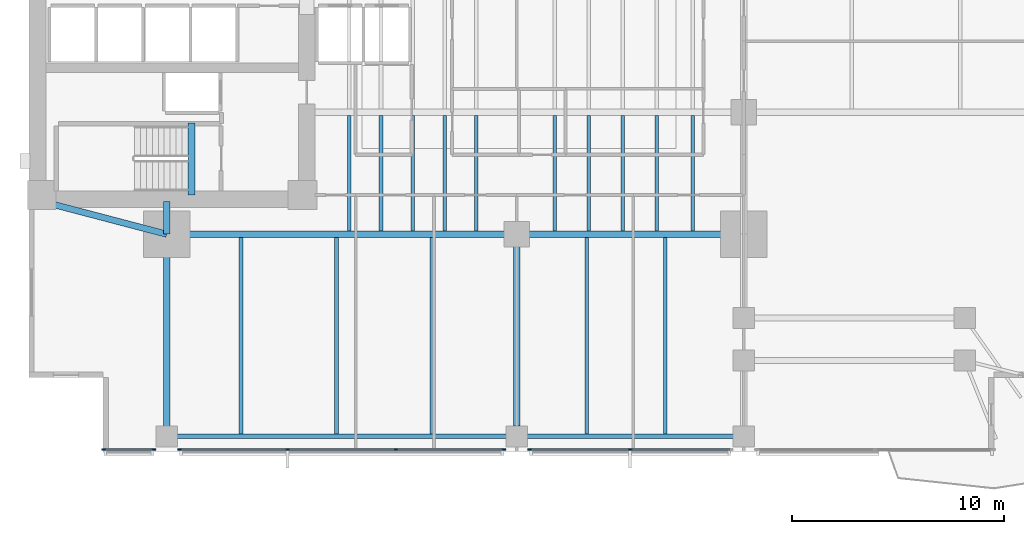
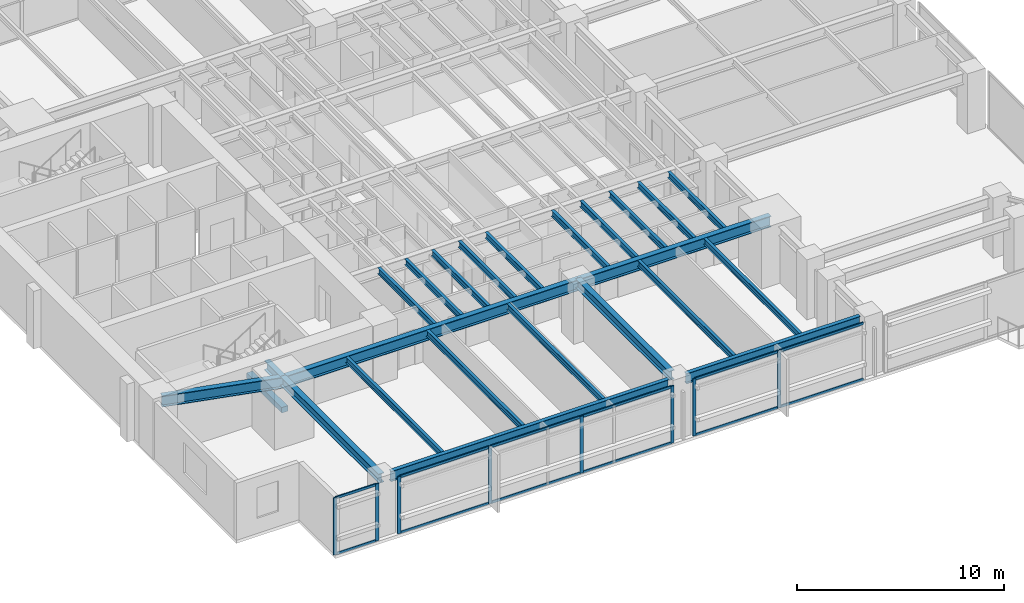
# One storey, part 2 of 15: 24 beams, 20 members, 3 elements without a shape of their own.
"""IFC4 building model written with IfcOpenShell, lengths in metres."""

from ifc_helpers import new_model, si_unit, direction, frame, origin, origin_2d, place, context, subcontext, project, spatial, rectangle, i_section, extrude, material, layer, layer_set, material_profile, profile_set, type_object, element, aggregate, save


model = new_model("IFC4")

# Units and contexts
model_context = context("Model", 3, precision=1e-05, world=origin(), true_north=direction((0.0, 1.0)))
body_context = subcontext(model_context, "Body", "Model", "MODEL_VIEW")
ifc_project = project(units=[si_unit("LENGTHUNIT", "METRE"), si_unit("AREAUNIT", "SQUARE_METRE"), si_unit("VOLUMEUNIT", "CUBIC_METRE"), si_unit("PLANEANGLEUNIT", "RADIAN"), si_unit("MASSUNIT", "GRAM", prefix="KILO")], contexts=[model_context])

# Site, building, storey
site_placement = place(None, origin())
site = spatial("IfcSite", under=ifc_project, at=site_placement, CompositionType="ELEMENT")
building_placement = place(site_placement, origin())
building = spatial("IfcBuilding", under=site, at=building_placement, Name="Kinhvarn Gate Tower", CompositionType="ELEMENT")
storey_placement = place(building_placement, frame((0.0, 0.0, 64.64990234375)))
storey = spatial("IfcBuildingStorey", under=building, at=storey_placement, Name="L16", CompositionType="ELEMENT", Elevation=64.64990234375)

# Beam
ifc_material_1 = material(Name="Concrete C50/60", Category="concrete")
ifc_material_profile_1 = material_profile(ifc_material_1, rectangle(XDim=0.340087890625, YDim=0.320068359375, at=origin_2d()), Name="RC 340x320")
ifc_profile_set_1 = profile_set([ifc_material_profile_1], Name="Concrete C50/60")
beam_type_1 = type_object("IfcBeamType", Name="BM-LND-500", PredefinedType="BEAM", material=ifc_profile_set_1)
beam_1_placement = place(storey_placement, frame((12.1650390625, 14.60009765625, -0.159912109375), z_axis=(0.0, 1.0, 0.0), x_axis=(-1.0, 0.0, 0.0)))
element("IfcBeam", 1, at=beam_1_placement, inside=storey, type_object=beam_type_1, Name="Stair ST1 Landing Nosing Beam (L16)", PredefinedType="BEAM", context=body_context, shape_type="SweptSolid", body=[
    extrude(rectangle(XDim=0.340087890625, YDim=0.320068359375, at=origin_2d()), origin(), (0.0, 0.0, 1.0), 3.39990234375),
])

# Curtain wall, members
ifc_material_2 = material(Name="Anodised aluminium AW-6063", Category="aluminium")
ifc_layer = layer(ifc_material_2, 0.179931640625)
ifc_layer_set = layer_set([ifc_layer], Name="Anodised aluminium AW-6063")
curtain_wall_type = type_object("IfcCurtainWallType", Name="CW-SYS-2", PredefinedType="NOTDEFINED", material=ifc_layer_set)
curtain_wall_1_placement = place(storey_placement, origin())
curtain_wall_1 = element("IfcCurtainWall", 2, at=curtain_wall_1_placement, inside=storey, type_object=curtain_wall_type, Name="Curtain Wall CW2 (L16)", PredefinedType="NOTDEFINED")
ifc_material_profile_2 = material_profile(ifc_material_2, rectangle(XDim=0.070068359375, YDim=0.179931640625, at=origin_2d()), Name="ALU 70x180")
ifc_profile_set_2 = profile_set([ifc_material_profile_2], Name="Anodised aluminium AW-6063")
member_type_1 = type_object("IfcMemberType", Name="CW-MUL-180", PredefinedType="MULLION", material=ifc_profile_set_2)
member_1_placement = place(storey_placement, frame((8.034912109375, 2.590087890625, 0.0), z_axis=(0.0, 0.0, 1.0), x_axis=(0.0, 1.0, 0.0)))
member_1 = element("IfcMember", 3, at=member_1_placement, type_object=member_type_1, Name="CW2 mullion 1", PredefinedType="MULLION", context=body_context, shape_type="SweptSolid", body=[
    extrude(rectangle(XDim=0.070068359375, YDim=0.179931640625, at=origin_2d()), origin(), (0.0, 0.0, 1.0), 3.3701171875),
])
member_2_placement = place(storey_placement, frame((10.385009765625, 2.590087890625, 0.0), z_axis=(0.0, 0.0, 1.0), x_axis=(0.0, 1.0, 0.0)))
member_2 = element("IfcMember", 4, at=member_2_placement, type_object=member_type_1, Name="CW2 mullion 2", PredefinedType="MULLION", context=body_context, shape_type="SweptSolid", body=[
    extrude(rectangle(XDim=0.070068359375, YDim=0.179931640625, at=origin_2d()), origin(), (0.0, 0.0, 1.0), 3.3701171875),
])

curtain_wall_2_placement = place(storey_placement, origin())
curtain_wall_2 = element("IfcCurtainWall", 5, at=curtain_wall_2_placement, inside=storey, type_object=curtain_wall_type, Name="Curtain Wall CW2 (L16)", PredefinedType="NOTDEFINED")
member_3_placement = place(storey_placement, frame((11.614990234375, 2.590087890625, 0.0), z_axis=(0.0, 0.0, 1.0), x_axis=(0.0, 1.0, 0.0)))
member_3 = element("IfcMember", 6, at=member_3_placement, type_object=member_type_1, Name="CW2 mullion 1", PredefinedType="MULLION", context=body_context, shape_type="SweptSolid", body=[
    extrude(rectangle(XDim=0.070068359375, YDim=0.179931640625, at=origin_2d()), origin(), (0.0, 0.0, 1.0), 3.3701171875),
])
member_4_placement = place(storey_placement, frame((16.693359375, 2.590087890625, 0.0), z_axis=(0.0, 0.0, 1.0), x_axis=(0.0, 1.0, 0.0)))
member_4 = element("IfcMember", 7, at=member_4_placement, type_object=member_type_1, Name="CW2 mullion 2", PredefinedType="MULLION", context=body_context, shape_type="SweptSolid", body=[
    extrude(rectangle(XDim=0.070068359375, YDim=0.179931640625, at=origin_2d()), origin(), (0.0, 0.0, 1.0), 3.3701171875),
])
member_5_placement = place(storey_placement, frame((21.806640625, 2.590087890625, 0.0), z_axis=(0.0, 0.0, 1.0), x_axis=(0.0, 1.0, 0.0)))
member_5 = element("IfcMember", 8, at=member_5_placement, type_object=member_type_1, Name="CW2 mullion 3", PredefinedType="MULLION", context=body_context, shape_type="SweptSolid", body=[
    extrude(rectangle(XDim=0.070068359375, YDim=0.179931640625, at=origin_2d()), origin(), (0.0, 0.0, 1.0), 3.3701171875),
])
member_6_placement = place(storey_placement, frame((26.885009765625, 2.590087890625, 0.0), z_axis=(0.0, 0.0, 1.0), x_axis=(0.0, 1.0, 0.0)))
member_6 = element("IfcMember", 9, at=member_6_placement, type_object=member_type_1, Name="CW2 mullion 4", PredefinedType="MULLION", context=body_context, shape_type="SweptSolid", body=[
    extrude(rectangle(XDim=0.070068359375, YDim=0.179931640625, at=origin_2d()), origin(), (0.0, 0.0, 1.0), 3.3701171875),
])

curtain_wall_3_placement = place(storey_placement, origin())
curtain_wall_3 = element("IfcCurtainWall", 10, at=curtain_wall_3_placement, inside=storey, type_object=curtain_wall_type, Name="Curtain Wall CW2 (L16)", PredefinedType="NOTDEFINED")
member_7_placement = place(storey_placement, frame((28.114990234375, 2.590087890625, 0.0), z_axis=(0.0, 0.0, 1.0), x_axis=(0.0, 1.0, 0.0)))
member_7 = element("IfcMember", 11, at=member_7_placement, type_object=member_type_1, Name="CW2 mullion 1", PredefinedType="MULLION", context=body_context, shape_type="SweptSolid", body=[
    extrude(rectangle(XDim=0.070068359375, YDim=0.179931640625, at=origin_2d()), origin(), (0.0, 0.0, 1.0), 3.3701171875),
])
member_8_placement = place(storey_placement, frame((32.85009765625, 2.590087890625, 0.0), z_axis=(0.0, 0.0, 1.0), x_axis=(0.0, 1.0, 0.0)))
member_8 = element("IfcMember", 12, at=member_8_placement, type_object=member_type_1, Name="CW2 mullion 2", PredefinedType="MULLION", context=body_context, shape_type="SweptSolid", body=[
    extrude(rectangle(XDim=0.070068359375, YDim=0.179931640625, at=origin_2d()), origin(), (0.0, 0.0, 1.0), 3.3701171875),
])

# Member
ifc_material_profile_3 = material_profile(ifc_material_2, rectangle(XDim=0.070068359375, YDim=0.139892578125, at=origin_2d()), Name="ALU 70x140")
ifc_profile_set_3 = profile_set([ifc_material_profile_3], Name="Anodised aluminium AW-6063")
member_type_2 = type_object("IfcMemberType", Name="CW-TRN-140", PredefinedType="USERDEFINED", material=ifc_profile_set_3)
member_9_placement = place(storey_placement, frame((8.070068359375, 2.590087890625, 0.03515625), z_axis=(1.0, 0.0, 0.0), x_axis=(0.0, 1.0, 0.0)))
member_9 = element("IfcMember", 13, at=member_9_placement, type_object=member_type_2, Name="CW2 transom 1.1", ObjectType="TRANSOM", PredefinedType="USERDEFINED", context=body_context, shape_type="SweptSolid", body=[
    extrude(rectangle(XDim=0.070068359375, YDim=0.139892578125, at=origin_2d()), origin(), (0.0, 0.0, 1.0), 2.280029296875),
])

member_10_placement = place(storey_placement, frame((8.070068359375, 2.590087890625, 3.335205078125), z_axis=(1.0, 0.0, 0.0), x_axis=(0.0, 1.0, 0.0)))
member_10 = element("IfcMember", 14, at=member_10_placement, type_object=member_type_2, Name="CW2 transom 1.2", ObjectType="TRANSOM", PredefinedType="USERDEFINED", context=body_context, shape_type="SweptSolid", body=[
    extrude(rectangle(XDim=0.070068359375, YDim=0.139892578125, at=origin_2d()), origin(), (0.0, 0.0, 1.0), 2.280029296875),
])

aggregate(curtain_wall_1, [member_1, member_2, member_9, member_10])

member_11_placement = place(storey_placement, frame((11.64990234375, 2.590087890625, 0.03515625), z_axis=(1.0, 0.0, 0.0), x_axis=(0.0, 1.0, 0.0)))
member_11 = element("IfcMember", 15, at=member_11_placement, type_object=member_type_2, Name="CW2 transom 1.1", ObjectType="TRANSOM", PredefinedType="USERDEFINED", context=body_context, shape_type="SweptSolid", body=[
    extrude(rectangle(XDim=0.070068359375, YDim=0.139892578125, at=origin_2d()), origin(), (0.0, 0.0, 1.0), 5.008544921875),
])

member_12_placement = place(storey_placement, frame((11.64990234375, 2.590087890625, 3.335205078125), z_axis=(1.0, 0.0, 0.0), x_axis=(0.0, 1.0, 0.0)))
member_12 = element("IfcMember", 16, at=member_12_placement, type_object=member_type_2, Name="CW2 transom 1.2", ObjectType="TRANSOM", PredefinedType="USERDEFINED", context=body_context, shape_type="SweptSolid", body=[
    extrude(rectangle(XDim=0.070068359375, YDim=0.139892578125, at=origin_2d()), origin(), (0.0, 0.0, 1.0), 5.008544921875),
])

member_13_placement = place(storey_placement, frame((16.728271484375, 2.590087890625, 0.03515625), z_axis=(1.0, 0.0, 0.0), x_axis=(0.0, 1.0, 0.0)))
member_13 = element("IfcMember", 17, at=member_13_placement, type_object=member_type_2, Name="CW2 transom 2.1", ObjectType="TRANSOM", PredefinedType="USERDEFINED", context=body_context, shape_type="SweptSolid", body=[
    extrude(rectangle(XDim=0.070068359375, YDim=0.139892578125, at=origin_2d()), origin(), (0.0, 0.0, 1.0), 5.04345703125),
])

member_14_placement = place(storey_placement, frame((16.728271484375, 2.590087890625, 3.335205078125), z_axis=(1.0, 0.0, 0.0), x_axis=(0.0, 1.0, 0.0)))
member_14 = element("IfcMember", 18, at=member_14_placement, type_object=member_type_2, Name="CW2 transom 2.2", ObjectType="TRANSOM", PredefinedType="USERDEFINED", context=body_context, shape_type="SweptSolid", body=[
    extrude(rectangle(XDim=0.070068359375, YDim=0.139892578125, at=origin_2d()), origin(), (0.0, 0.0, 1.0), 5.04345703125),
])

member_15_placement = place(storey_placement, frame((21.841552734375, 2.590087890625, 0.03515625), z_axis=(1.0, 0.0, 0.0), x_axis=(0.0, 1.0, 0.0)))
member_15 = element("IfcMember", 19, at=member_15_placement, type_object=member_type_2, Name="CW2 transom 3.1", ObjectType="TRANSOM", PredefinedType="USERDEFINED", context=body_context, shape_type="SweptSolid", body=[
    extrude(rectangle(XDim=0.070068359375, YDim=0.139892578125, at=origin_2d()), origin(), (0.0, 0.0, 1.0), 5.008544921875),
])

member_16_placement = place(storey_placement, frame((21.841552734375, 2.590087890625, 3.335205078125), z_axis=(1.0, 0.0, 0.0), x_axis=(0.0, 1.0, 0.0)))
member_16 = element("IfcMember", 20, at=member_16_placement, type_object=member_type_2, Name="CW2 transom 3.2", ObjectType="TRANSOM", PredefinedType="USERDEFINED", context=body_context, shape_type="SweptSolid", body=[
    extrude(rectangle(XDim=0.070068359375, YDim=0.139892578125, at=origin_2d()), origin(), (0.0, 0.0, 1.0), 5.008544921875),
])

aggregate(curtain_wall_2, [member_3, member_4, member_5, member_6, member_11, member_12, member_13, member_14, member_15, member_16])

member_17_placement = place(storey_placement, frame((28.14990234375, 2.590087890625, 0.03515625), z_axis=(1.0, 0.0, 0.0), x_axis=(0.0, 1.0, 0.0)))
member_17 = element("IfcMember", 21, at=member_17_placement, type_object=member_type_2, Name="CW2 transom 1.1", ObjectType="TRANSOM", PredefinedType="USERDEFINED", context=body_context, shape_type="SweptSolid", body=[
    extrude(rectangle(XDim=0.070068359375, YDim=0.139892578125, at=origin_2d()), origin(), (0.0, 0.0, 1.0), 4.6650390625),
])

member_18_placement = place(storey_placement, frame((28.14990234375, 2.590087890625, 3.335205078125), z_axis=(1.0, 0.0, 0.0), x_axis=(0.0, 1.0, 0.0)))
member_18 = element("IfcMember", 22, at=member_18_placement, type_object=member_type_2, Name="CW2 transom 1.2", ObjectType="TRANSOM", PredefinedType="USERDEFINED", context=body_context, shape_type="SweptSolid", body=[
    extrude(rectangle(XDim=0.070068359375, YDim=0.139892578125, at=origin_2d()), origin(), (0.0, 0.0, 1.0), 4.6650390625),
])

member_19_placement = place(storey_placement, frame((32.885009765625, 2.590087890625, 0.03515625), z_axis=(1.0, 0.0, 0.0), x_axis=(0.0, 1.0, 0.0)))
member_19 = element("IfcMember", 23, at=member_19_placement, type_object=member_type_2, Name="CW2 transom 2.1", ObjectType="TRANSOM", PredefinedType="USERDEFINED", context=body_context, shape_type="SweptSolid", body=[
    extrude(rectangle(XDim=0.070068359375, YDim=0.139892578125, at=origin_2d()), origin(), (0.0, 0.0, 1.0), 4.6650390625),
])

member_20_placement = place(storey_placement, frame((32.885009765625, 2.590087890625, 3.335205078125), z_axis=(1.0, 0.0, 0.0), x_axis=(0.0, 1.0, 0.0)))
member_20 = element("IfcMember", 24, at=member_20_placement, type_object=member_type_2, Name="CW2 transom 2.2", ObjectType="TRANSOM", PredefinedType="USERDEFINED", context=body_context, shape_type="SweptSolid", body=[
    extrude(rectangle(XDim=0.070068359375, YDim=0.139892578125, at=origin_2d()), origin(), (0.0, 0.0, 1.0), 4.6650390625),
])

aggregate(curtain_wall_3, [member_7, member_8, member_17, member_18, member_19, member_20])

# Beams
ifc_material_3 = material(Name="Steel S355", Category="steel")
ifc_material_profile_4 = material_profile(ifc_material_3, i_section(OverallWidth=0.300048828125, OverallDepth=0.550048828125, WebThickness=0.014892578125, FlangeThickness=0.029052734375, at=origin_2d()), Name="HEB 550")
ifc_profile_set_4 = profile_set([ifc_material_profile_4], Name="Steel S355")
beam_type_2 = type_object("IfcBeamType", Name="STL-HEB550", PredefinedType="BEAM", material=ifc_profile_set_4)
beam_2_placement = place(storey_placement, frame((11.0, 3.219970703125, 3.09521484375), z_axis=(0.0, 1.0, 0.0), x_axis=(-1.0, 0.0, 0.0)))
element("IfcBeam", 25, at=beam_2_placement, inside=storey, type_object=beam_type_2, Name="Floor Beam PG-15 (L16 MCW-S)", PredefinedType="BEAM", context=body_context, shape_type="SweptSolid", body=[
    extrude(i_section(OverallWidth=0.300048828125, OverallDepth=0.550048828125, WebThickness=0.014892578125, FlangeThickness=0.029052734375, at=origin_2d()), origin(), (0.0, 0.0, 1.0), 9.530029296875),
])
beam_3_placement = place(storey_placement, frame((11.0, 12.75, 3.09521484375), z_axis=(0.0, 1.0, 0.0), x_axis=(-1.0, 0.0, 0.0)))
element("IfcBeam", 26, at=beam_3_placement, inside=storey, type_object=beam_type_2, Name="Floor Beam PG-15 (L16 MCW-CS)", PredefinedType="BEAM", context=body_context, shape_type="SweptSolid", body=[
    extrude(i_section(OverallWidth=0.300048828125, OverallDepth=0.550048828125, WebThickness=0.014892578125, FlangeThickness=0.029052734375, at=origin_2d()), origin(), (0.0, 0.0, 1.0), 1.550048828125),
])
beam_4_placement = place(storey_placement, frame((27.5, 3.705078125, 3.09521484375), z_axis=(0.0, 1.0, 0.0), x_axis=(-1.0, 0.0, 0.0)))
element("IfcBeam", 27, at=beam_4_placement, inside=storey, type_object=beam_type_2, Name="Floor Beam PG-15 (L16 SP27-S-TIE)", PredefinedType="BEAM", context=body_context, shape_type="SweptSolid", body=[
    extrude(i_section(OverallWidth=0.300048828125, OverallDepth=0.550048828125, WebThickness=0.014892578125, FlangeThickness=0.029052734375, at=origin_2d()), origin(), (0.0, 0.0, 1.0), 9.044921875),
])
ifc_material_profile_5 = material_profile(ifc_material_3, i_section(OverallWidth=0.300048828125, OverallDepth=0.64990234375, WebThickness=0.01611328125, FlangeThickness=0.031005859375, at=origin_2d()), Name="HEB 650")
ifc_profile_set_5 = profile_set([ifc_material_profile_5], Name="Steel S355")
beam_type_3 = type_object("IfcBeamType", Name="STL-HEB650", PredefinedType="BEAM", material=ifc_profile_set_5)
beam_5_placement = place(storey_placement, frame((11.0, 12.75, 3.045166015625), z_axis=(1.0, 0.0, 0.0), x_axis=(0.0, 1.0, 0.0)))
element("IfcBeam", 28, at=beam_5_placement, inside=storey, type_object=beam_type_3, Name="Floor Beam PG-17 (L16 MG-S1)", PredefinedType="BEAM", context=body_context, shape_type="SweptSolid", body=[
    extrude(i_section(OverallWidth=0.300048828125, OverallDepth=0.64990234375, WebThickness=0.01611328125, FlangeThickness=0.031005859375, at=origin_2d()), origin(), (0.0, 0.0, 1.0), 16.5),
])
beam_6_placement = place(storey_placement, frame((27.5, 12.75, 3.045166015625), z_axis=(1.0, 0.0, 0.0), x_axis=(0.0, 1.0, 0.0)))
element("IfcBeam", 29, at=beam_6_placement, inside=storey, type_object=beam_type_3, Name="Floor Beam PG-17 (L16 MG-S2)", PredefinedType="BEAM", context=body_context, shape_type="SweptSolid", body=[
    extrude(i_section(OverallWidth=0.300048828125, OverallDepth=0.64990234375, WebThickness=0.01611328125, FlangeThickness=0.031005859375, at=origin_2d()), origin(), (0.0, 0.0, 1.0), 10.699951171875),
])
beam_7_placement = place(storey_placement, frame((5.10009765625, 14.300048828125, 3.045166015625), z_axis=(0.967177623957, -0.254101246979, 0.0), x_axis=(0.254101246979, 0.967177623957, 0.0)))
element("IfcBeam", 30, at=beam_7_placement, inside=storey, type_object=beam_type_3, Name="Floor Beam PG-17 (L16 MG-SW-DIAG)", PredefinedType="BEAM", context=body_context, shape_type="SweptSolid", body=[
    extrude(i_section(OverallWidth=0.300048828125, OverallDepth=0.64990234375, WebThickness=0.01611328125, FlangeThickness=0.031005859375, at=origin_2d()), origin(), (0.0, 0.0, 1.0), 6.10009765625),
])
ifc_material_profile_6 = material_profile(ifc_material_3, i_section(OverallWidth=0.169921875, OverallDepth=0.360107421875, WebThickness=0.008056640625, FlangeThickness=0.0126953125, at=origin_2d()), Name="IPE 360")
ifc_profile_set_6 = profile_set([ifc_material_profile_6], Name="Steel S355")
beam_type_4 = type_object("IfcBeamType", Name="STL-IPE360", PredefinedType="JOIST", material=ifc_profile_set_6)
for number, where, z_axis, x_axis, name in (
    (31, (19.60009765625, 12.89990234375, 3.190185546875), (0.0, 1.0, 0.0), (-1.0, 0.0, 0.0), "Floor Joist SB-04 (L16 JC-X196-0)"),
    (32, (21.10009765625, 12.89990234375, 3.190185546875), (0.0, 1.0, 0.0), (-1.0, 0.0, 0.0), "Floor Joist SB-04 (L16 JC-X211-0)"),
    (33, (22.60009765625, 12.89990234375, 3.190185546875), (0.0, 1.0, 0.0), (-1.0, 0.0, 0.0), "Floor Joist SB-04 (L16 JC-X226-0)"),
    (34, (24.10009765625, 12.89990234375, 3.190185546875), (0.0, 1.0, 0.0), (-1.0, 0.0, 0.0), "Floor Joist SB-04 (L16 JC-X241-0)"),
    (35, (25.60009765625, 12.89990234375, 3.190185546875), (0.0, 1.0, 0.0), (-1.0, 0.0, 0.0), "Floor Joist SB-04 (L16 JC-X256-0)"),
    (36, (29.300048828125, 12.89990234375, 3.190185546875), (0.0, 1.0, 0.0), (-1.0, 0.0, 0.0), "Floor Joist SB-04 (L16 JC-X293-0)"),
    (37, (30.89990234375, 12.89990234375, 3.190185546875), (0.0, 1.0, 0.0), (-1.0, 0.0, 0.0), "Floor Joist SB-04 (L16 JC-X309-0)"),
    (38, (32.5, 12.89990234375, 3.190185546875), (0.0, 1.0, 0.0), (-1.0, 0.0, 0.0), "Floor Joist SB-04 (L16 JC-X325-0)"),
    (39, (34.10009765625, 12.89990234375, 3.190185546875), (0.0, 1.0, 0.0), (-1.0, 0.0, 0.0), "Floor Joist SB-04 (L16 JC-X341-0)"),
    (40, (35.800048828125, 12.89990234375, 3.190185546875), (0.0, 1.0, 0.0), (-1.0, 0.0, 0.0), "Floor Joist SB-04 (L16 JC-X358-0)"),
):
    element("IfcBeam", number, at=place(storey_placement, frame(where, z_axis=z_axis, x_axis=x_axis)), inside=storey, type_object=beam_type_4, Name=name, PredefinedType="JOIST", context=body_context, shape_type="SweptSolid", body=[
        extrude(i_section(OverallWidth=0.169921875, OverallDepth=0.360107421875, WebThickness=0.008056640625, FlangeThickness=0.0126953125, at=origin_2d()), origin(), (0.0, 0.0, 1.0), 5.4501953125),
    ])
for number, where, z_axis, x_axis, name in (
    (41, (14.5, 3.330078125, 3.190185546875), (0.0, 1.0, 0.0), (-1.0, 0.0, 0.0), "Floor Joist SB-04 (L16 JS-X145)"),
    (42, (19.0, 3.330078125, 3.190185546875), (0.0, 1.0, 0.0), (-1.0, 0.0, 0.0), "Floor Joist SB-04 (L16 JS-X190)"),
    (43, (23.5, 3.330078125, 3.190185546875), (0.0, 1.0, 0.0), (-1.0, 0.0, 0.0), "Floor Joist SB-04 (L16 JS-X235)"),
    (44, (30.800048828125, 3.330078125, 3.190185546875), (0.0, 1.0, 0.0), (-1.0, 0.0, 0.0), "Floor Joist SB-04 (L16 JS-X308)"),
    (45, (34.5, 3.330078125, 3.190185546875), (0.0, 1.0, 0.0), (-1.0, 0.0, 0.0), "Floor Joist SB-04 (L16 JS-X345)"),
):
    element("IfcBeam", number, at=place(storey_placement, frame(where, z_axis=z_axis, x_axis=x_axis)), inside=storey, type_object=beam_type_4, Name=name, PredefinedType="JOIST", context=body_context, shape_type="SweptSolid", body=[
        extrude(i_section(OverallWidth=0.169921875, OverallDepth=0.360107421875, WebThickness=0.008056640625, FlangeThickness=0.0126953125, at=origin_2d()), origin(), (0.0, 0.0, 1.0), 9.27001953125),
    ])
ifc_material_profile_7 = material_profile(ifc_material_3, i_section(OverallWidth=0.219970703125, OverallDepth=0.60009765625, WebThickness=0.011962890625, FlangeThickness=0.01904296875, at=origin_2d()), Name="IPE 600")
ifc_profile_set_7 = profile_set([ifc_material_profile_7], Name="Steel S355")
beam_type_5 = type_object("IfcBeamType", Name="STL-IPE600", PredefinedType="SPANDREL", material=ifc_profile_set_7)
beam_8_placement = place(storey_placement, frame((11.485107421875, 3.219970703125, 3.070068359375), z_axis=(1.0, 0.0, 0.0), x_axis=(0.0, 1.0, 0.0)))
element("IfcBeam", 46, at=beam_8_placement, inside=storey, type_object=beam_type_5, Name="Floor Spandrel SB-09 (L16 SP-S1)", PredefinedType="SPANDREL", context=body_context, shape_type="SweptSolid", body=[
    extrude(i_section(OverallWidth=0.219970703125, OverallDepth=0.60009765625, WebThickness=0.011962890625, FlangeThickness=0.01904296875, at=origin_2d()), origin(), (0.0, 0.0, 1.0), 15.52978515625),
])
beam_9_placement = place(storey_placement, frame((27.985107421875, 3.219970703125, 3.070068359375), z_axis=(1.0, 0.0, 0.0), x_axis=(0.0, 1.0, 0.0)))
element("IfcBeam", 47, at=beam_9_placement, inside=storey, type_object=beam_type_5, Name="Floor Spandrel SB-09 (L16 SP-S2)", PredefinedType="SPANDREL", context=body_context, shape_type="SweptSolid", body=[
    extrude(i_section(OverallWidth=0.219970703125, OverallDepth=0.60009765625, WebThickness=0.011962890625, FlangeThickness=0.01904296875, at=origin_2d()), origin(), (0.0, 0.0, 1.0), 9.72998046875),
])

save(model, "model.ifc")
